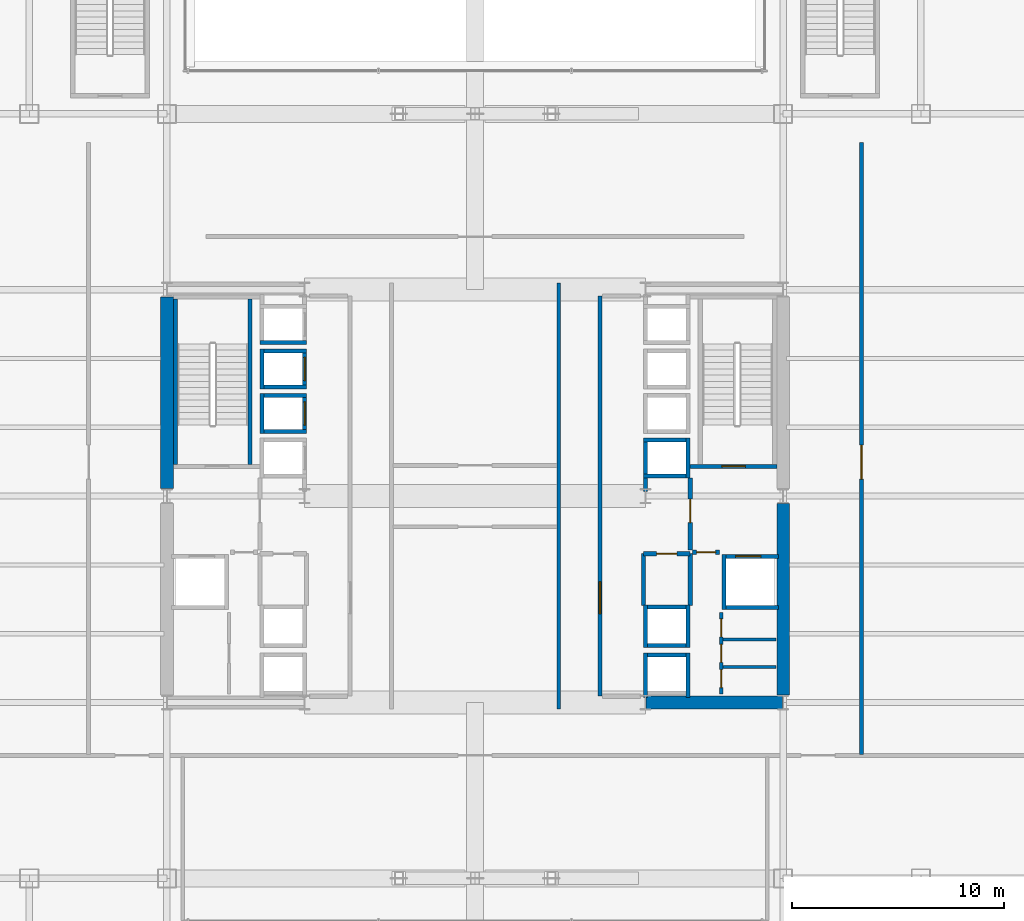
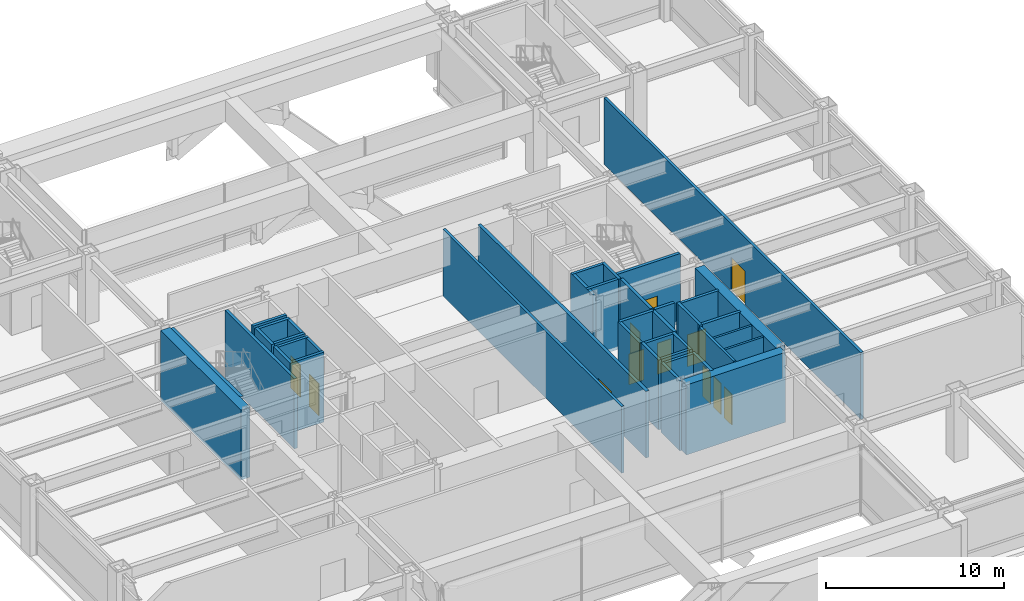
# One storey, part 34 of 37: 40 walls, 12 doors, 12 openings.
"""IFC4 building model written with IfcOpenShell, lengths in metres."""

import ifcopenshell
import ifcopenshell.guid

model = None  # the IFC model being written
_history = None  # IfcOwnerHistory: only IFC2X3 demands one
_inside = {}  # id of a spatial element -> (the spatial element, [elements in it])
_under = {}  # id of a project, library or spatial element -> (it, [spatial elements below it])
_declared = {}  # id of a project -> (the project, [libraries it declares])
_typed = {}  # id of a type object -> (the type object, [elements of that type])
_made_of = {}  # id of a material, layer set ... -> (it, [elements and type objects made of it])


def new_model(schema):
    """Start an empty IFC model of exactly this schema.

    Asked for "IFC4X3", IfcOpenShell would pick the latest addendum, in which some entities
    have other attributes; the version numbers below select the first issue.
    IFC2X3 requires an IfcOwnerHistory on every rooted entity: one is made here for all.
    """
    global model, _history
    if schema == "IFC4X3":
        model = ifcopenshell.file(schema_version=(4, 3, 0, 0))
    else:
        model = ifcopenshell.file(schema=schema)
    _inside.clear()
    _under.clear()
    _declared.clear()
    _typed.clear()
    _made_of.clear()
    _history = None
    if model.schema == "IFC2X3":
        org = make("IfcOrganization", Name="unknown")
        user = make(
            "IfcPersonAndOrganization",
            ThePerson=make("IfcPerson", FamilyName="unknown"),
            TheOrganization=org,
        )
        app = make(
            "IfcApplication",
            ApplicationDeveloper=org,
            Version="unknown",
            ApplicationFullName="unknown",
            ApplicationIdentifier="unknown",
        )
        _history = make(
            "IfcOwnerHistory",
            OwningUser=user,
            OwningApplication=app,
            ChangeAction="ADDED",
            CreationDate=0,
        )
    return model


def make(cls, **values):
    """One entity of the class cls with the attributes given. An attribute that is None is left unset."""
    return model.create_entity(
        cls, **{name: value for name, value in values.items() if value is not None}
    )


def rooted(cls, **values):
    """An entity with a GlobalId (a new one), such as an element, a storey or a relation."""
    return make(cls, GlobalId=ifcopenshell.guid.new(), OwnerHistory=_history, **values)


def si_unit(unit_type, name, prefix=None):
    """IfcSIUnit, for example si_unit("LENGTHUNIT", "METRE", prefix="MILLI")."""
    return make("IfcSIUnit", UnitType=unit_type, Prefix=prefix, Name=name)


def assignment(units):
    """IfcUnitAssignment: the units of a project."""
    return None if units is None else make("IfcUnitAssignment", Units=units)


def point(xyz):
    """IfcCartesianPoint."""
    return None if xyz is None else make("IfcCartesianPoint", Coordinates=xyz)


def direction(xyz):
    """IfcDirection."""
    return None if xyz is None else make("IfcDirection", DirectionRatios=xyz)


def frame(location, z_axis=None, x_axis=None):
    """IfcAxis2Placement3D, a coordinate frame: its origin and axes. An axis left out is left unset."""
    return make(
        "IfcAxis2Placement3D",
        Location=point(location),
        Axis=direction(z_axis),
        RefDirection=direction(x_axis),
    )


def frame_2d(location, x_axis=None):
    """IfcAxis2Placement2D, a coordinate frame in the plane: its origin and x axis."""
    return make(
        "IfcAxis2Placement2D", Location=point(location), RefDirection=direction(x_axis)
    )


def origin():
    """The frame at (0, 0, 0) with its axes left unset."""
    return frame((0.0, 0.0, 0.0))


def place(relative_to, where):
    """IfcLocalPlacement: puts the frame where relative to a parent placement (None: the world)."""
    return make(
        "IfcLocalPlacement", PlacementRelTo=relative_to, RelativePlacement=where
    )


def context(
    kind, dimensions, precision=None, world=None, true_north=None, identifier=None
):
    """IfcGeometricRepresentationContext, for example the 3D "Model" context."""
    return make(
        "IfcGeometricRepresentationContext",
        ContextIdentifier=identifier,
        ContextType=kind,
        CoordinateSpaceDimension=dimensions,
        Precision=precision,
        WorldCoordinateSystem=world,
        TrueNorth=true_north,
    )


def subcontext(parent, identifier, kind, view, scale=None):
    """IfcGeometricRepresentationSubContext, for example "Body" below "Model"."""
    return make(
        "IfcGeometricRepresentationSubContext",
        ContextIdentifier=identifier,
        ContextType=kind,
        ParentContext=parent,
        TargetScale=scale,
        TargetView=view,
    )


def project(units=None, contexts=None):
    """IfcProject with its units and contexts."""
    return rooted(
        "IfcProject",
        Name="project",
        RepresentationContexts=contexts,
        UnitsInContext=assignment(units),
    )


def spatial(cls, under=None, at=None, **own):
    """A site, building, storey or space (cls), placed at a placement, below another one or the project."""
    s = rooted(cls, ObjectPlacement=at, **own)
    if under is not None:
        _under.setdefault(under.id(), (under, []))[1].append(s)
    return s


def profile(cls, at=None, kind="AREA", **sizes):
    """A parametric profile (cls). Its sizes go by their IFC names, for example OverallWidth=200.0."""
    return make(cls, ProfileType=kind, Position=at, **sizes)


def rectangle(**sizes):
    """IfcRectangleProfileDef."""
    return profile("IfcRectangleProfileDef", **sizes)


def extrude(swept, where, along, depth):
    """IfcExtrudedAreaSolid: the profile swept, set in the frame where, extruded along a direction by depth."""
    return make(
        "IfcExtrudedAreaSolid",
        SweptArea=swept,
        Position=where,
        ExtrudedDirection=direction(along),
        Depth=depth,
    )


def shape(context_of_items, identifier, shape_type, items):
    """IfcShapeRepresentation: the items that make up one representation, for example the "Body"."""
    return make(
        "IfcShapeRepresentation",
        ContextOfItems=context_of_items,
        RepresentationIdentifier=identifier,
        RepresentationType=shape_type,
        Items=items,
    )


def material(Name=None, Category=None):
    """IfcMaterial."""
    return make("IfcMaterial", Name=Name, Category=Category)


def layer(
    of_material, thickness, ventilated=None, Name=None, Category=None, Priority=None
):
    """IfcMaterialLayer: one layer of a wall or slab, of a material (None: an air gap)."""
    return make(
        "IfcMaterialLayer",
        Material=of_material,
        LayerThickness=thickness,
        IsVentilated=ventilated,
        Name=Name,
        Category=Category,
        Priority=Priority,
    )


def layer_set(layers, Name=None):
    """IfcMaterialLayerSet."""
    return make("IfcMaterialLayerSet", MaterialLayers=layers, LayerSetName=Name)


def made_of(thing, what):
    """Note that an element or type object is made of a material, layer set ...; save() writes the relation."""
    if what is not None:
        _made_of.setdefault(what.id(), (what, []))[1].append(thing)
    return thing


def type_object(cls, material=None, **own):
    """A type object (cls), such as IfcWallType, which elements share."""
    return made_of(rooted(cls, **own), material)


def element(
    cls,
    number,
    at=None,
    inside=None,
    cuts=None,
    type_object=None,
    material=None,
    context=None,
    identifier="Body",
    shape_type=None,
    held_by="IfcProductDefinitionShape",
    body=None,
    shapes=None,
    **own,
):
    """One element of the class cls, such as IfcWall. Its Tag is "e" and its number.

    at: its placement. inside: the storey or other place that contains it. cuts: it is an
    opening in that element (IfcRelVoidsElement). A single representation is given by context,
    identifier, shape_type and body (its items); several are given by shapes. held_by: the class
    of the entity that holds the representations. save() writes the other relations.
    """
    e = rooted(cls, Tag="e%d" % number, ObjectPlacement=at, **own)
    if body is not None:
        shapes = [shape(context, identifier, shape_type, body)]
    if shapes is not None:
        e.Representation = make(held_by, Representations=shapes)
    if inside is not None:
        _inside.setdefault(inside.id(), (inside, []))[1].append(e)
    if cuts is not None:
        rooted(
            "IfcRelVoidsElement", RelatingBuildingElement=cuts, RelatedOpeningElement=e
        )
    if type_object is not None:
        _typed.setdefault(type_object.id(), (type_object, []))[1].append(e)
    return made_of(e, material)


def fill(opening, filler):
    """IfcRelFillsElement: the door or window that sits in an opening."""
    return rooted(
        "IfcRelFillsElement",
        RelatingOpeningElement=opening,
        RelatedBuildingElement=filler,
    )


def aggregate(whole, parts):
    """IfcRelAggregates: a whole, such as a stair, and the parts it consists of."""
    return rooted("IfcRelAggregates", RelatingObject=whole, RelatedObjects=parts)


def save(model, path):
    """Write the relations noted so far, then the file.

    IfcRelAggregates (storeys below a building ...), IfcRelContainedInSpatialStructure (elements
    in a storey), IfcRelDefinesByType, IfcRelAssociatesMaterial and IfcRelDeclares: one each for
    every whole, place, type object, material and project.
    """
    for whole, parts in _under.values():
        aggregate(whole, parts)
    for where, things in _inside.values():
        rooted(
            "IfcRelContainedInSpatialStructure",
            RelatedElements=things,
            RelatingStructure=where,
        )
    for kind, things in _typed.values():
        rooted("IfcRelDefinesByType", RelatedObjects=things, RelatingType=kind)
    for what, things in _made_of.values():
        rooted("IfcRelAssociatesMaterial", RelatedObjects=things, RelatingMaterial=what)
    for by, libraries in _declared.values():
        rooted("IfcRelDeclares", RelatingContext=by, RelatedDefinitions=libraries)
    model.write(path)


model = new_model("IFC4")

# Units and contexts
model_context = context("Model", 3, precision=1e-05, world=origin(), true_north=direction((0.0, 1.0)))
body_context = subcontext(model_context, "Body", "Model", "MODEL_VIEW")
ifc_project = project(units=[si_unit("LENGTHUNIT", "METRE"), si_unit("AREAUNIT", "SQUARE_METRE"), si_unit("VOLUMEUNIT", "CUBIC_METRE"), si_unit("PLANEANGLEUNIT", "RADIAN"), si_unit("MASSUNIT", "GRAM", prefix="KILO")], contexts=[model_context])

# Site, building, storey
site_placement = place(None, origin())
site = spatial("IfcSite", under=ifc_project, at=site_placement, CompositionType="ELEMENT")
building_placement = place(site_placement, origin())
building = spatial("IfcBuilding", under=site, at=building_placement, Name="Brelmoor Portico Tower", CompositionType="ELEMENT")
storey_placement = place(building_placement, frame((0.0, 0.0, 14.39990234375)))
storey = spatial("IfcBuildingStorey", under=building, at=storey_placement, Name="L03", CompositionType="ELEMENT", Elevation=14.39990234375)

# Walls
ifc_material_1 = material(Name="Concrete C60", Category="concrete")
ifc_layer_1 = layer(ifc_material_1, 0.60009765625)
ifc_layer_set_1 = layer_set([ifc_layer_1], Name="Concrete C60")
wall_type_1 = type_object("IfcWallType", Name="WL-CORE-600", PredefinedType="SHEAR", material=ifc_layer_set_1)
wall_1_placement = place(storey_placement, frame((-14.550048828125, 0.35009765625, -0.219970703125), z_axis=(0.0, 0.0, 1.0), x_axis=(0.0, 1.0, 0.0)))
element("IfcWall", 1, at=wall_1_placement, inside=storey, type_object=wall_type_1, Name="L03 WC Outer North Shear Wall", PredefinedType="SHEAR", context=body_context, shape_type="SweptSolid", body=[
    extrude(rectangle(XDim=9.0498046875, YDim=0.60009765625, at=frame_2d((4.52490234375, 0.0))), origin(), (0.0, 0.0, 1.0), 4.800048828125),
])
wall_2_placement = place(storey_placement, frame((8.070068359375, -9.75, -0.219970703125), z_axis=(0.0, 0.0, 1.0), x_axis=(1.0, 0.0, 0.0)))
element("IfcWall", 2, at=wall_2_placement, inside=storey, type_object=wall_type_1, Name="L03 EC South Shear Wall", PredefinedType="SHEAR", context=body_context, shape_type="SweptSolid", body=[
    extrude(rectangle(XDim=6.4599609375, YDim=0.60009765625, at=frame_2d((3.22998046875, 0.0))), origin(), (0.0, 0.0, 1.0), 4.800048828125),
])
wall_3_placement = place(storey_placement, frame((14.550048828125, -9.39990234375, -0.219970703125), z_axis=(0.0, 0.0, 1.0), x_axis=(0.0, 1.0, 0.0)))
element("IfcWall", 3, at=wall_3_placement, inside=storey, type_object=wall_type_1, Name="L03 EC Outer South Shear Wall", PredefinedType="SHEAR", context=body_context, shape_type="SweptSolid", body=[
    extrude(rectangle(XDim=9.0498046875, YDim=0.60009765625, at=frame_2d((4.52490234375, 0.0))), origin(), (0.0, 0.0, 1.0), 4.800048828125),
])
ifc_material_2 = material(Name="Insulated Stud Suite Partition", Category="gypsum")
ifc_layer_2 = layer(ifc_material_2, 0.139892578125)
ifc_layer_set_2 = layer_set([ifc_layer_2], Name="Insulated Stud Suite Partition")
wall_type_2 = type_object("IfcWallType", Name="WL-PART-140", PredefinedType="PARTITIONING", material=ifc_layer_set_2)
for number, where, z_axis, x_axis, name in (
    (4, (11.699951171875, -8.066650390625, 0.0), (0.0, 0.0, 1.0), (1.0, 0.0, 0.0), "L03 E Core WC Divider 1"),
    (5, (11.699951171875, -6.783203125, 0.0), (0.0, 0.0, 1.0), (1.0, 0.0, 0.0), "L03 E Core WC Divider 2"),
):
    element("IfcWall", number, at=place(storey_placement, frame(where, z_axis=z_axis, x_axis=x_axis)), inside=storey, type_object=wall_type_2, Name=name, PredefinedType="PARTITIONING", context=body_context, shape_type="SweptSolid", body=[
        extrude(rectangle(XDim=2.5, YDim=0.139892578125, at=frame_2d((1.25, 0.0))), origin(), (0.0, 0.0, 1.0), 4.580078125),
    ])

# Wall, openings, doors
ifc_material_3 = material(Name="Twin-Frame Acoustic Partition", Category="gypsum")
ifc_layer_3 = layer(ifc_material_3, 0.159912109375)
ifc_layer_set_3 = layer_set([ifc_layer_3], Name="Twin-Frame Acoustic Partition")
wall_type_3 = type_object("IfcWallType", Name="WL-PART-160", PredefinedType="PARTITIONING", material=ifc_layer_set_3)
wall_4_placement = place(storey_placement, frame((11.6201171875, -9.35009765625, 0.0), z_axis=(0.0, 0.0, 1.0), x_axis=(0.0, 1.0, 0.0)))
wall_4 = element("IfcWall", 6, at=wall_4_placement, inside=storey, type_object=wall_type_3, Name="L03 E Core Service Front Wall", PredefinedType="PARTITIONING", context=body_context, shape_type="SweptSolid", body=[
    extrude(rectangle(XDim=3.85009765625, YDim=0.159912109375, at=frame_2d((1.925048828125, 0.0))), origin(), (0.0, 0.0, 1.0), 4.580078125),
])
opening_1_placement = place(wall_4_placement, frame((0.300048828125, 0.0, 0.0)))
opening_1 = element("IfcOpeningElement", 7, at=opening_1_placement, cuts=wall_4, Name="Opening D-WC1", PredefinedType="OPENING", context=body_context, shape_type="SweptSolid", body=[
    extrude(rectangle(XDim=0.85009765625, YDim=2.1201171875, at=frame_2d((0.425048828125, 1.06005859375))), frame((0.0, 0.08984375, 0.0), z_axis=(0.0, -1.0, 0.0), x_axis=(1.0, 0.0, 0.0)), (0.0, 0.0, 1.0), 0.179931640625),
])
opening_2_placement = place(wall_4_placement, frame((1.5, 0.0, 0.0)))
opening_2 = element("IfcOpeningElement", 8, at=opening_2_placement, cuts=wall_4, Name="Opening D-WC1", PredefinedType="OPENING", context=body_context, shape_type="SweptSolid", body=[
    extrude(rectangle(XDim=0.85009765625, YDim=2.1201171875, at=frame_2d((0.425048828125, 1.06005859375))), frame((0.0, 0.08984375, 0.0), z_axis=(0.0, -1.0, 0.0), x_axis=(1.0, 0.0, 0.0)), (0.0, 0.0, 1.0), 0.179931640625),
])
opening_3_placement = place(wall_4_placement, frame((2.699951171875, 0.0, 0.0)))
opening_3 = element("IfcOpeningElement", 9, at=opening_3_placement, cuts=wall_4, Name="Opening D-WC1", PredefinedType="OPENING", context=body_context, shape_type="SweptSolid", body=[
    extrude(rectangle(XDim=0.85009765625, YDim=2.1201171875, at=frame_2d((0.425048828125, 1.06005859375))), frame((0.0, 0.08984375, 0.0), z_axis=(0.0, -1.0, 0.0), x_axis=(1.0, 0.0, 0.0)), (0.0, 0.0, 1.0), 0.179931640625),
])
ifc_material_4 = material(Name="Moisture-Resistant Laminate WC Door", Category="timber")
door_type_1 = type_object("IfcDoorType", Name="DR-WC-850", OperationType="NOTDEFINED", PredefinedType="DOOR", material=ifc_material_4)
door_1_placement = place(opening_1_placement, origin())
door_1 = element("IfcDoor", 10, at=door_1_placement, inside=storey, type_object=door_type_1, Name="D-0174 L03 E Male WC Door", OperationType="SINGLE_SWING_RIGHT", OverallHeight=2.1201171875, OverallWidth=0.85009765625, PredefinedType="DOOR", context=body_context, shape_type="SweptSolid", body=[
    extrude(rectangle(XDim=0.85009765625, YDim=2.1201171875, at=frame_2d((0.425048828125, 1.06005859375))), frame((0.0, 0.02490234375, 0.0), z_axis=(0.0, -1.0, 0.0), x_axis=(1.0, 0.0, 0.0)), (0.0, 0.0, 1.0), 0.050048828125),
])
fill(opening_1, door_1)
door_2_placement = place(opening_2_placement, origin())
door_2 = element("IfcDoor", 11, at=door_2_placement, inside=storey, type_object=door_type_1, Name="D-0175 L03 E Female WC Door", OperationType="SINGLE_SWING_LEFT", OverallHeight=2.1201171875, OverallWidth=0.85009765625, PredefinedType="DOOR", context=body_context, shape_type="SweptSolid", body=[
    extrude(rectangle(XDim=0.85009765625, YDim=2.1201171875, at=frame_2d((0.425048828125, 1.06005859375))), frame((0.0, 0.02490234375, 0.0), z_axis=(0.0, -1.0, 0.0), x_axis=(1.0, 0.0, 0.0)), (0.0, 0.0, 1.0), 0.050048828125),
])
fill(opening_2, door_2)
door_3_placement = place(opening_3_placement, origin())
door_3 = element("IfcDoor", 12, at=door_3_placement, inside=storey, type_object=door_type_1, Name="D-0176 L03 E Janitor Store Door", OperationType="SINGLE_SWING_RIGHT", OverallHeight=2.1201171875, OverallWidth=0.85009765625, PredefinedType="DOOR", context=body_context, shape_type="SweptSolid", body=[
    extrude(rectangle(XDim=0.85009765625, YDim=2.1201171875, at=frame_2d((0.425048828125, 1.06005859375))), frame((0.0, 0.02490234375, 0.0), z_axis=(0.0, -1.0, 0.0), x_axis=(1.0, 0.0, 0.0)), (0.0, 0.0, 1.0), 0.050048828125),
])
fill(opening_3, door_3)

# Wall
ifc_material_5 = material(Name="Acoustic Corridor Fire Partition", Category="gypsum")
ifc_layer_4 = layer(ifc_material_5, 0.179931640625)
ifc_layer_set_4 = layer_set([ifc_layer_4], Name="Acoustic Corridor Fire Partition")
wall_type_4 = type_object("IfcWallType", Name="WL-PART-180", PredefinedType="PARTITIONING", material=ifc_layer_set_4)
wall_5_placement = place(storey_placement, frame((3.949951171875, -10.050048828125, 0.0), z_axis=(0.0, 0.0, 1.0), x_axis=(0.0, 1.0, 0.0)))
element("IfcWall", 13, at=wall_5_placement, inside=storey, type_object=wall_type_4, Name="L03 Central Hall East Wall", PredefinedType="PARTITIONING", context=body_context, shape_type="SweptSolid", body=[
    extrude(rectangle(XDim=20.10009765625, YDim=0.179931640625, at=frame_2d((10.050048828125, 0.0))), origin(), (0.0, 0.0, 1.0), 4.580078125),
])

# Wall, opening, door
wall_6_placement = place(storey_placement, frame((18.25, -12.199951171875, 0.0), z_axis=(0.0, 0.0, 1.0), x_axis=(0.0, 1.0, 0.0)))
wall_6 = element("IfcWall", 14, at=wall_6_placement, inside=storey, type_object=wall_type_4, Name="L03 E Bridge Wing Wall", PredefinedType="PARTITIONING", context=body_context, shape_type="SweptSolid", body=[
    extrude(rectangle(XDim=28.89990234375, YDim=0.179931640625, at=frame_2d((14.449951171875, 0.0))), origin(), (0.0, 0.0, 1.0), 4.580078125),
])
opening_4_placement = place(wall_6_placement, frame((13.0, 0.0, 0.0)))
opening_4 = element("IfcOpeningElement", 15, at=opening_4_placement, cuts=wall_6, Name="Opening D-PB1", PredefinedType="OPENING", context=body_context, shape_type="SweptSolid", body=[
    extrude(rectangle(XDim=1.60009765625, YDim=2.300048828125, at=frame_2d((0.800048828125, 1.14990234375))), frame((0.0, 0.099853515625, 0.0), z_axis=(0.0, -1.0, 0.0), x_axis=(1.0, 0.0, 0.0)), (0.0, 0.0, 1.0), 0.199951171875),
])
ifc_material_6 = material(Name="Double-Leaf Anodised Aluminium Hall Door", Category="aluminium")
door_type_2 = type_object("IfcDoorType", Name="DR-PUBLIC-1600", OperationType="NOTDEFINED", PredefinedType="DOOR", material=ifc_material_6)
door_4_placement = place(opening_4_placement, origin())
door_4 = element("IfcDoor", 16, at=door_4_placement, inside=storey, type_object=door_type_2, Name="D-0172 L03 E Engineering Studio Door", OperationType="DOUBLE_DOOR_SINGLE_SWING", OverallHeight=2.300048828125, OverallWidth=1.60009765625, PredefinedType="DOOR", context=body_context, shape_type="SweptSolid", body=[
    extrude(rectangle(XDim=1.60009765625, YDim=2.300048828125, at=frame_2d((0.800048828125, 1.14990234375))), frame((0.0, 0.02490234375, 0.0), z_axis=(0.0, -1.0, 0.0), x_axis=(1.0, 0.0, 0.0)), (0.0, 0.0, 1.0), 0.050048828125),
])
fill(opening_4, door_4)

ifc_material_7 = material(Name="Double-Stud Gypsum Fire Partition", Category="gypsum")
ifc_layer_5 = layer(ifc_material_7, 0.199951171875)
ifc_layer_set_5 = layer_set([ifc_layer_5], Name="Double-Stud Gypsum Fire Partition")
wall_type_5 = type_object("IfcWallType", Name="WL-PART-200", PredefinedType="PARTITIONING", material=ifc_layer_set_5)
wall_7_placement = place(storey_placement, frame((5.89990234375, -9.449951171875, 0.0), z_axis=(0.0, 0.0, 1.0), x_axis=(0.0, 1.0, 0.0)))
wall_7 = element("IfcWall", 17, at=wall_7_placement, inside=storey, type_object=wall_type_5, Name="L03 E Core Lobby Compartment Wall", PredefinedType="PARTITIONING", context=body_context, shape_type="SweptSolid", body=[
    extrude(rectangle(XDim=18.89990234375, YDim=0.199951171875, at=frame_2d((9.449951171875, 0.0))), origin(), (0.0, 0.0, 1.0), 4.580078125),
])
opening_5_placement = place(wall_7_placement, frame((3.89990234375, 0.0, 0.0)))
opening_5 = element("IfcOpeningElement", 18, at=opening_5_placement, cuts=wall_7, Name="Opening D-LB1", PredefinedType="OPENING", context=body_context, shape_type="SweptSolid", body=[
    extrude(rectangle(XDim=1.5, YDim=2.199951171875, at=frame_2d((0.75, 1.10009765625))), frame((0.0, 0.10986328125, 0.0), z_axis=(0.0, -1.0, 0.0), x_axis=(1.0, 0.0, 0.0)), (0.0, 0.0, 1.0), 0.219970703125),
])
ifc_material_8 = material(Name="Double-Leaf Glazed Steel Fire Door", Category="steel")
door_type_3 = type_object("IfcDoorType", Name="DR-LOBBY-1500", OperationType="NOTDEFINED", PredefinedType="DOOR", material=ifc_material_8)
door_5_placement = place(opening_5_placement, origin())
door_5 = element("IfcDoor", 19, at=door_5_placement, inside=storey, type_object=door_type_3, Name="D-0184 L03 E Lift Lobby Main Door", OperationType="DOUBLE_DOOR_SINGLE_SWING", OverallHeight=2.199951171875, OverallWidth=1.5, PredefinedType="DOOR", context=body_context, shape_type="SweptSolid", body=[
    extrude(rectangle(XDim=1.5, YDim=2.199951171875, at=frame_2d((0.75, 1.10009765625))), frame((0.0, 0.02490234375, 0.0), z_axis=(0.0, -1.0, 0.0), x_axis=(1.0, 0.0, 0.0)), (0.0, 0.0, 1.0), 0.050048828125),
])
fill(opening_5, door_5)

wall_8_placement = place(storey_placement, frame((10.159912109375, -2.550048828125, 0.0), z_axis=(0.0, 0.0, 1.0), x_axis=(0.0, 1.0, 0.0)))
wall_8 = element("IfcWall", 20, at=wall_8_placement, inside=storey, type_object=wall_type_5, Name="L03 E Firefighting Lobby Wall", PredefinedType="PARTITIONING", context=body_context, shape_type="SweptSolid", body=[
    extrude(rectangle(XDim=3.400146484375, YDim=0.199951171875, at=frame_2d((1.7001953125, 0.0))), origin(), (0.0, 0.0, 1.0), 4.580078125),
])
opening_6_placement = place(wall_8_placement, frame((1.300048828125, 0.0, 0.0)))
opening_6 = element("IfcOpeningElement", 21, at=opening_6_placement, cuts=wall_8, Name="Opening D-FR1", PredefinedType="OPENING", context=body_context, shape_type="SweptSolid", body=[
    extrude(rectangle(XDim=1.10009765625, YDim=2.14990234375, at=frame_2d((0.550048828125, 1.074951171875))), frame((0.0, 0.10986328125, 0.0), z_axis=(0.0, -1.0, 0.0), x_axis=(1.0, 0.0, 0.0)), (0.0, 0.0, 1.0), 0.219970703125),
])
ifc_material_9 = material(Name="Painted Galvanised Steel Fire Door", Category="steel")
door_type_4 = type_object("IfcDoorType", Name="DR-FIRE-1100", OperationType="NOTDEFINED", PredefinedType="DOOR", material=ifc_material_9)
door_6_placement = place(opening_6_placement, origin())
door_6 = element("IfcDoor", 22, at=door_6_placement, inside=storey, type_object=door_type_4, Name="D-0182 L03 E Firefighting Lobby Door", OperationType="SINGLE_SWING_LEFT", OverallHeight=2.14990234375, OverallWidth=1.10009765625, PredefinedType="DOOR", context=body_context, shape_type="SweptSolid", body=[
    extrude(rectangle(XDim=1.10009765625, YDim=2.14990234375, at=frame_2d((0.550048828125, 1.074951171875))), frame((0.0, 0.02490234375, 0.0), z_axis=(0.0, -1.0, 0.0), x_axis=(1.0, 0.0, 0.0)), (0.0, 0.0, 1.0), 0.050048828125),
])
fill(opening_6, door_6)

wall_9_placement = place(storey_placement, frame((10.280029296875, -2.64990234375, 0.0), z_axis=(0.0, 0.0, 1.0), x_axis=(1.0, 0.0, 0.0)))
wall_9 = element("IfcWall", 23, at=wall_9_placement, inside=storey, type_object=wall_type_5, Name="L03 E Firefighting Lobby South Wall", PredefinedType="PARTITIONING", context=body_context, shape_type="SweptSolid", body=[
    extrude(rectangle(XDim=1.27001953125, YDim=0.199951171875, at=frame_2d((0.635009765625, 0.0))), origin(), (0.0, 0.0, 1.0), 4.580078125),
])
opening_7_placement = place(wall_9_placement, frame((0.18505859375, 0.0, 0.0)))
opening_7 = element("IfcOpeningElement", 24, at=opening_7_placement, cuts=wall_9, Name="Opening D-IN1", PredefinedType="OPENING", context=body_context, shape_type="SweptSolid", body=[
    extrude(rectangle(XDim=0.89990234375, YDim=2.14990234375, at=frame_2d((0.449951171875, 1.074951171875))), frame((0.0, 0.10986328125, 0.0), z_axis=(0.0, -1.0, 0.0), x_axis=(1.0, 0.0, 0.0)), (0.0, 0.0, 1.0), 0.219970703125),
])
ifc_material_10 = material(Name="Lacquered Timber Suite Door", Category="wood")
door_type_5 = type_object("IfcDoorType", Name="DR-INT-900", OperationType="NOTDEFINED", PredefinedType="DOOR", material=ifc_material_10)
door_7_placement = place(opening_7_placement, origin())
door_7 = element("IfcDoor", 25, at=door_7_placement, inside=storey, type_object=door_type_5, Name="D-0177 L03 E Core Service Vestibule Door", OperationType="SINGLE_SWING_RIGHT", OverallHeight=2.14990234375, OverallWidth=0.89990234375, PredefinedType="DOOR", context=body_context, shape_type="SweptSolid", body=[
    extrude(rectangle(XDim=0.89990234375, YDim=2.14990234375, at=frame_2d((0.449951171875, 1.074951171875))), frame((0.0, 0.02490234375, 0.0), z_axis=(0.0, -1.0, 0.0), x_axis=(1.0, 0.0, 0.0)), (0.0, 0.0, 1.0), 0.050048828125),
])
fill(opening_7, door_7)

wall_10_placement = place(storey_placement, frame((7.9599609375, -2.719970703125, 0.0), z_axis=(0.0, 0.0, 1.0), x_axis=(1.0, 0.0, 0.0)))
wall_10 = element("IfcWall", 26, at=wall_10_placement, inside=storey, type_object=wall_type_5, Name="L03 E Electrical Switchgear Closet Wall", PredefinedType="PARTITIONING", context=body_context, shape_type="SweptSolid", body=[
    extrude(rectangle(XDim=2.199951171875, YDim=0.199951171875, at=frame_2d((1.10009765625, 0.0))), origin(), (0.0, 0.0, 1.0), 4.580078125),
])
opening_8_placement = place(wall_10_placement, frame((0.6201171875, 0.0, 0.0)))
opening_8 = element("IfcOpeningElement", 27, at=opening_8_placement, cuts=wall_10, Name="Opening D-FR4", PredefinedType="OPENING", context=body_context, shape_type="SweptSolid", body=[
    extrude(rectangle(XDim=0.949951171875, YDim=2.10009765625, at=frame_2d((0.47509765625, 1.050048828125))), frame((0.0, 0.10986328125, 0.0), z_axis=(0.0, -1.0, 0.0), x_axis=(1.0, 0.0, 0.0)), (0.0, 0.0, 1.0), 0.219970703125),
])
ifc_material_11 = material(Name="Painted Galvanised Steel Riser Door", Category="steel")
door_type_6 = type_object("IfcDoorType", Name="DR-FIRE-950", OperationType="NOTDEFINED", PredefinedType="DOOR", material=ifc_material_11)
door_8_placement = place(opening_8_placement, origin())
door_8 = element("IfcDoor", 28, at=door_8_placement, inside=storey, type_object=door_type_6, Name="D-0180 L03 E Electrical Switchgear Closet Door", OperationType="SINGLE_SWING_LEFT", OverallHeight=2.10009765625, OverallWidth=0.949951171875, PredefinedType="DOOR", context=body_context, shape_type="SweptSolid", body=[
    extrude(rectangle(XDim=0.949951171875, YDim=2.10009765625, at=frame_2d((0.47509765625, 1.050048828125))), frame((0.0, 0.02490234375, 0.0), z_axis=(0.0, -1.0, 0.0), x_axis=(1.0, 0.0, 0.0)), (0.0, 0.0, 1.0), 0.050048828125),
])
fill(opening_8, door_8)

# Walls
for number, where, z_axis, x_axis, name in (
    (29, (7.9599609375, -5.159912109375, 0.0), (0.0, 0.0, 1.0), (0.0, 1.0, 0.0), "L03 E Electrical Switchgear Closet Inner Wall"),
    (30, (10.159912109375, -5.159912109375, 0.0), (0.0, 0.0, 1.0), (0.0, 1.0, 0.0), "L03 E Electrical Switchgear Closet Outer Wall"),
):
    element("IfcWall", number, at=place(storey_placement, frame(where, z_axis=z_axis, x_axis=x_axis)), inside=storey, type_object=wall_type_5, Name=name, PredefinedType="PARTITIONING", context=body_context, shape_type="SweptSolid", body=[
        extrude(rectangle(XDim=2.43994140625, YDim=0.199951171875, at=frame_2d((1.219970703125, 0.0))), origin(), (0.0, 0.0, 1.0), 4.580078125),
    ])

# Wall, opening, door
ifc_material_12 = material(Name="Precast Concrete C40", Category="concrete")
ifc_layer_6 = layer(ifc_material_12, 0.18994140625)
ifc_layer_set_6 = layer_set([ifc_layer_6], Name="Precast Concrete C40")
wall_type_6 = type_object("IfcWallType", Name="WL-SHAFT-180", PredefinedType="SOLIDWALL", material=ifc_layer_set_6)
wall_11_placement = place(storey_placement, frame((-8.044921875, 2.949951171875, -0.219970703125), z_axis=(0.0, 0.0, 1.0), x_axis=(0.0, 1.0, 0.0)))
wall_11 = element("IfcWall", 31, at=wall_11_placement, inside=storey, type_object=wall_type_6, Name="L03 Lift PL2 Hoistway Front Wall", PredefinedType="SOLIDWALL", context=body_context, shape_type="SweptSolid", body=[
    extrude(rectangle(XDim=1.900146484375, YDim=0.18994140625, at=frame_2d((0.9501953125, 0.0))), origin(), (0.0, 0.0, 1.0), 4.800048828125),
])
opening_9_placement = place(wall_11_placement, frame((0.39990234375, 0.0, 0.219970703125)))
opening_9 = element("IfcOpeningElement", 32, at=opening_9_placement, cuts=wall_11, Name="Opening LD-01", PredefinedType="OPENING", context=body_context, shape_type="SweptSolid", body=[
    extrude(rectangle(XDim=1.10009765625, YDim=2.199951171875, at=frame_2d((0.550048828125, 1.10009765625))), frame((0.0, 0.10498046875, 0.0), z_axis=(0.0, -1.0, 0.0), x_axis=(1.0, 0.0, 0.0)), (0.0, 0.0, 1.0), 0.2099609375),
])
ifc_material_13 = material(Name="Brushed Stainless Steel Sliding Lift Door", Category="steel")
door_type_7 = type_object("IfcDoorType", Name="DR-LIFT-1100", OperationType="NOTDEFINED", PredefinedType="DOOR", material=ifc_material_13)
door_9_placement = place(opening_9_placement, origin())
door_9 = element("IfcDoor", 33, at=door_9_placement, inside=storey, type_object=door_type_7, Name="D-0193 L03 Lift PL2 Sliding Landing Door", OperationType="SLIDING_TO_LEFT", OverallHeight=2.199951171875, OverallWidth=1.10009765625, PredefinedType="DOOR", context=body_context, shape_type="SweptSolid", body=[
    extrude(rectangle(XDim=1.10009765625, YDim=2.199951171875, at=frame_2d((0.550048828125, 1.10009765625))), frame((0.0, 0.02490234375, 0.0), z_axis=(0.0, -1.0, 0.0), x_axis=(1.0, 0.0, 0.0)), (0.0, 0.0, 1.0), 0.050048828125),
])
fill(opening_9, door_9)

# Walls
wall_12_placement = place(storey_placement, frame((-10.054931640625, 2.949951171875, -0.219970703125), z_axis=(0.0, 0.0, 1.0), x_axis=(0.0, 1.0, 0.0)))
element("IfcWall", 34, at=wall_12_placement, inside=storey, type_object=wall_type_6, Name="L03 Lift PL2 Hoistway Back Wall", PredefinedType="SOLIDWALL", context=body_context, shape_type="SweptSolid", body=[
    extrude(rectangle(XDim=1.900146484375, YDim=0.18994140625, at=frame_2d((0.9501953125, 0.0))), origin(), (0.0, 0.0, 1.0), 4.800048828125),
])
for number, where, z_axis, x_axis, name in (
    (35, (-10.14990234375, 4.7548828125, -0.219970703125), (0.0, 0.0, 1.0), (1.0, 0.0, 0.0), "L03 Lift PL2 Hoistway North Wall"),
    (36, (-10.14990234375, 3.044921875, -0.219970703125), (0.0, 0.0, 1.0), (1.0, 0.0, 0.0), "L03 Lift PL2 Hoistway South Wall"),
):
    element("IfcWall", number, at=place(storey_placement, frame(where, z_axis=z_axis, x_axis=x_axis)), inside=storey, type_object=wall_type_6, Name=name, PredefinedType="SOLIDWALL", context=body_context, shape_type="SweptSolid", body=[
        extrude(rectangle(XDim=2.199951171875, YDim=0.18994140625, at=frame_2d((1.10009765625, 0.0))), origin(), (0.0, 0.0, 1.0), 4.800048828125),
    ])

# Wall, opening, door
wall_13_placement = place(storey_placement, frame((-8.044921875, 5.050048828125, -0.219970703125), z_axis=(0.0, 0.0, 1.0), x_axis=(0.0, 1.0, 0.0)))
wall_13 = element("IfcWall", 37, at=wall_13_placement, inside=storey, type_object=wall_type_6, Name="L03 Lift PL3 Hoistway Front Wall", PredefinedType="SOLIDWALL", context=body_context, shape_type="SweptSolid", body=[
    extrude(rectangle(XDim=1.89990234375, YDim=0.18994140625, at=frame_2d((0.949951171875, 0.0))), origin(), (0.0, 0.0, 1.0), 4.800048828125),
])
opening_10_placement = place(wall_13_placement, frame((0.39990234375, 0.0, 0.219970703125)))
opening_10 = element("IfcOpeningElement", 38, at=opening_10_placement, cuts=wall_13, Name="Opening LD-01", PredefinedType="OPENING", context=body_context, shape_type="SweptSolid", body=[
    extrude(rectangle(XDim=1.10009765625, YDim=2.199951171875, at=frame_2d((0.550048828125, 1.10009765625))), frame((0.0, 0.10498046875, 0.0), z_axis=(0.0, -1.0, 0.0), x_axis=(1.0, 0.0, 0.0)), (0.0, 0.0, 1.0), 0.2099609375),
])
door_10_placement = place(opening_10_placement, origin())
door_10 = element("IfcDoor", 39, at=door_10_placement, inside=storey, type_object=door_type_7, Name="D-0194 L03 Lift PL3 Sliding Landing Door", OperationType="SLIDING_TO_LEFT", OverallHeight=2.199951171875, OverallWidth=1.10009765625, PredefinedType="DOOR", context=body_context, shape_type="SweptSolid", body=[
    extrude(rectangle(XDim=1.10009765625, YDim=2.199951171875, at=frame_2d((0.550048828125, 1.10009765625))), frame((0.0, 0.02490234375, 0.0), z_axis=(0.0, -1.0, 0.0), x_axis=(1.0, 0.0, 0.0)), (0.0, 0.0, 1.0), 0.050048828125),
])
fill(opening_10, door_10)

# Walls
wall_14_placement = place(storey_placement, frame((-10.054931640625, 5.050048828125, -0.219970703125), z_axis=(0.0, 0.0, 1.0), x_axis=(0.0, 1.0, 0.0)))
element("IfcWall", 40, at=wall_14_placement, inside=storey, type_object=wall_type_6, Name="L03 Lift PL3 Hoistway Back Wall", PredefinedType="SOLIDWALL", context=body_context, shape_type="SweptSolid", body=[
    extrude(rectangle(XDim=1.89990234375, YDim=0.18994140625, at=frame_2d((0.949951171875, 0.0))), origin(), (0.0, 0.0, 1.0), 4.800048828125),
])
for number, where, z_axis, x_axis, name in (
    (41, (-10.14990234375, 6.85498046875, -0.219970703125), (0.0, 0.0, 1.0), (1.0, 0.0, 0.0), "L03 Lift PL3 Hoistway North Wall"),
    (42, (-10.14990234375, 5.14501953125, -0.219970703125), (0.0, 0.0, 1.0), (1.0, 0.0, 0.0), "L03 Lift PL3 Hoistway South Wall"),
    (43, (-10.14990234375, 7.2451171875, -0.219970703125), (0.0, 0.0, 1.0), (1.0, 0.0, 0.0), "L03 Lift PL4 Hoistway South Wall"),
):
    element("IfcWall", number, at=place(storey_placement, frame(where, z_axis=z_axis, x_axis=x_axis)), inside=storey, type_object=wall_type_6, Name=name, PredefinedType="SOLIDWALL", context=body_context, shape_type="SweptSolid", body=[
        extrude(rectangle(XDim=2.199951171875, YDim=0.18994140625, at=frame_2d((1.10009765625, 0.0))), origin(), (0.0, 0.0, 1.0), 4.800048828125),
    ])
wall_15_placement = place(storey_placement, frame((8.044921875, 0.2099609375, -0.219970703125), z_axis=(0.0, 0.0, 1.0), x_axis=(0.0, 1.0, 0.0)))
element("IfcWall", 44, at=wall_15_placement, inside=storey, type_object=wall_type_6, Name="L03 Lift PM1 Hoistway Front Wall", PredefinedType="SOLIDWALL", context=body_context, shape_type="SweptSolid", body=[
    extrude(rectangle(XDim=2.5400390625, YDim=0.18994140625, at=frame_2d((1.27001953125, 0.0))), origin(), (0.0, 0.0, 1.0), 4.800048828125),
])
wall_16_placement = place(storey_placement, frame((10.054931640625, 0.85009765625, -0.219970703125), z_axis=(0.0, 0.0, 1.0), x_axis=(0.0, 1.0, 0.0)))
element("IfcWall", 45, at=wall_16_placement, inside=storey, type_object=wall_type_6, Name="L03 Lift PM1 Hoistway Back Wall", PredefinedType="SOLIDWALL", context=body_context, shape_type="SweptSolid", body=[
    extrude(rectangle(XDim=1.89990234375, YDim=0.18994140625, at=frame_2d((0.949951171875, 0.0))), origin(), (0.0, 0.0, 1.0), 4.800048828125),
])
for number, where, z_axis, x_axis, name in (
    (46, (7.949951171875, 2.655029296875, -0.219970703125), (0.0, 0.0, 1.0), (1.0, 0.0, 0.0), "L03 Lift PM1 Hoistway North Wall"),
    (47, (7.949951171875, 0.945068359375, -0.219970703125), (0.0, 0.0, 1.0), (1.0, 0.0, 0.0), "L03 Lift PM1 Hoistway South Wall"),
):
    element("IfcWall", number, at=place(storey_placement, frame(where, z_axis=z_axis, x_axis=x_axis)), inside=storey, type_object=wall_type_6, Name=name, PredefinedType="SOLIDWALL", context=body_context, shape_type="SweptSolid", body=[
        extrude(rectangle(XDim=2.199951171875, YDim=0.18994140625, at=frame_2d((1.10009765625, 0.0))), origin(), (0.0, 0.0, 1.0), 4.800048828125),
    ])
for number, where, z_axis, x_axis, name in (
    (48, (8.044921875, -9.52001953125, -0.219970703125), (0.0, 0.0, 1.0), (0.0, 1.0, 0.0), "L03 Lift PH3 Hoistway Front Wall"),
    (49, (10.054931640625, -9.52001953125, -0.219970703125), (0.0, 0.0, 1.0), (0.0, 1.0, 0.0), "L03 Lift PH3 Hoistway Back Wall"),
):
    element("IfcWall", number, at=place(storey_placement, frame(where, z_axis=z_axis, x_axis=x_axis)), inside=storey, type_object=wall_type_6, Name=name, PredefinedType="SOLIDWALL", context=body_context, shape_type="SweptSolid", body=[
        extrude(rectangle(XDim=2.1201171875, YDim=0.18994140625, at=frame_2d((1.06005859375, 0.0))), origin(), (0.0, 0.0, 1.0), 4.800048828125),
    ])
wall_17_placement = place(storey_placement, frame((7.949951171875, -7.4951171875, -0.219970703125), z_axis=(0.0, 0.0, 1.0), x_axis=(1.0, 0.0, 0.0)))
element("IfcWall", 50, at=wall_17_placement, inside=storey, type_object=wall_type_6, Name="L03 Lift PH3 Hoistway North Wall", PredefinedType="SOLIDWALL", context=body_context, shape_type="SweptSolid", body=[
    extrude(rectangle(XDim=2.199951171875, YDim=0.18994140625, at=frame_2d((1.10009765625, 0.0))), origin(), (0.0, 0.0, 1.0), 4.800048828125),
])
for number, where, z_axis, x_axis, name in (
    (51, (8.044921875, -7.14990234375, -0.219970703125), (0.0, 0.0, 1.0), (0.0, 1.0, 0.0), "L03 Lift PH4 Hoistway Front Wall"),
    (52, (10.054931640625, -7.14990234375, -0.219970703125), (0.0, 0.0, 1.0), (0.0, 1.0, 0.0), "L03 Lift PH4 Hoistway Back Wall"),
):
    element("IfcWall", number, at=place(storey_placement, frame(where, z_axis=z_axis, x_axis=x_axis)), inside=storey, type_object=wall_type_6, Name=name, PredefinedType="SOLIDWALL", context=body_context, shape_type="SweptSolid", body=[
        extrude(rectangle(XDim=2.0, YDim=0.18994140625, at=frame_2d((1.0, 0.0))), origin(), (0.0, 0.0, 1.0), 4.800048828125),
    ])
for number, where, z_axis, x_axis, name in (
    (53, (7.949951171875, -5.2451171875, -0.219970703125), (0.0, 0.0, 1.0), (1.0, 0.0, 0.0), "L03 Lift PH4 Hoistway North Wall"),
    (54, (7.949951171875, -7.054931640625, -0.219970703125), (0.0, 0.0, 1.0), (1.0, 0.0, 0.0), "L03 Lift PH4 Hoistway South Wall"),
):
    element("IfcWall", number, at=place(storey_placement, frame(where, z_axis=z_axis, x_axis=x_axis)), inside=storey, type_object=wall_type_6, Name=name, PredefinedType="SOLIDWALL", context=body_context, shape_type="SweptSolid", body=[
        extrude(rectangle(XDim=2.199951171875, YDim=0.18994140625, at=frame_2d((1.10009765625, 0.0))), origin(), (0.0, 0.0, 1.0), 4.800048828125),
    ])

# Wall, opening, door
wall_18_placement = place(storey_placement, frame((11.64990234375, -2.844970703125, -0.219970703125), z_axis=(0.0, 0.0, 1.0), x_axis=(1.0, 0.0, 0.0)))
wall_18 = element("IfcWall", 55, at=wall_18_placement, inside=storey, type_object=wall_type_6, Name="L03 Lift FF2 Hoistway Front Wall", PredefinedType="SOLIDWALL", context=body_context, shape_type="SweptSolid", body=[
    extrude(rectangle(XDim=2.68017578125, YDim=0.18994140625, at=frame_2d((1.340087890625, 0.0))), origin(), (0.0, 0.0, 1.0), 4.800048828125),
])
opening_11_placement = place(wall_18_placement, frame((0.64990234375, 0.0, 0.219970703125)))
opening_11 = element("IfcOpeningElement", 56, at=opening_11_placement, cuts=wall_18, Name="Opening LD-02", PredefinedType="OPENING", context=body_context, shape_type="SweptSolid", body=[
    extrude(rectangle(XDim=1.199951171875, YDim=2.199951171875, at=frame_2d((0.60009765625, 1.10009765625))), frame((0.0, 0.10498046875, 0.0), z_axis=(0.0, -1.0, 0.0), x_axis=(1.0, 0.0, 0.0)), (0.0, 0.0, 1.0), 0.2099609375),
])
ifc_material_14 = material(Name="Brushed Stainless Steel Firefighting Lift Door", Category="steel")
door_type_8 = type_object("IfcDoorType", Name="DR-LIFT-1200", OperationType="NOTDEFINED", PredefinedType="DOOR", material=ifc_material_14)
door_11_placement = place(opening_11_placement, origin())
door_11 = element("IfcDoor", 57, at=door_11_placement, inside=storey, type_object=door_type_8, Name="D-0191 L03 Lift FF2 Sliding Landing Door", OperationType="SLIDING_TO_LEFT", OverallHeight=2.199951171875, OverallWidth=1.199951171875, PredefinedType="DOOR", context=body_context, shape_type="SweptSolid", body=[
    extrude(rectangle(XDim=1.199951171875, YDim=2.199951171875, at=frame_2d((0.60009765625, 1.10009765625))), frame((0.0, 0.02490234375, 0.0), z_axis=(0.0, -1.0, 0.0), x_axis=(1.0, 0.0, 0.0)), (0.0, 0.0, 1.0), 0.050048828125),
])
fill(opening_11, door_11)

# Walls
wall_19_placement = place(storey_placement, frame((11.64990234375, -5.2548828125, -0.219970703125), z_axis=(0.0, 0.0, 1.0), x_axis=(1.0, 0.0, 0.0)))
element("IfcWall", 58, at=wall_19_placement, inside=storey, type_object=wall_type_6, Name="L03 Firefighting Lift FF2 South Wall", PredefinedType="SOLIDWALL", context=body_context, shape_type="SweptSolid", body=[
    extrude(rectangle(XDim=2.68017578125, YDim=0.18994140625, at=frame_2d((1.340087890625, 0.0))), origin(), (0.0, 0.0, 1.0), 4.800048828125),
])
wall_20_placement = place(storey_placement, frame((11.7451171875, -5.35009765625, -0.219970703125), z_axis=(0.0, 0.0, 1.0), x_axis=(0.0, 1.0, 0.0)))
element("IfcWall", 59, at=wall_20_placement, inside=storey, type_object=wall_type_6, Name="L03 Firefighting Lift FF2 Inner Wall", PredefinedType="SOLIDWALL", context=body_context, shape_type="SweptSolid", body=[
    extrude(rectangle(XDim=2.60009765625, YDim=0.18994140625, at=frame_2d((1.300048828125, 0.0))), origin(), (0.0, 0.0, 1.0), 4.800048828125),
])
ifc_material_15 = material(Name="Concrete C40", Category="concrete")
ifc_layer_7 = layer(ifc_material_15, 0.199951171875)
ifc_layer_set_7 = layer_set([ifc_layer_7], Name="Concrete C40")
wall_type_7 = type_object("IfcWallType", Name="WL-SHAFT-RC200", PredefinedType="SOLIDWALL", material=ifc_layer_set_7)
for number, where, z_axis, x_axis, name in (
    (60, (-14.14990234375, 1.5, -0.219970703125), (0.0, 0.0, 1.0), (0.0, 1.0, 0.0), "L03 ST-W Structural Stair Wall Outer"),
    (61, (-10.6298828125, 1.5, -0.219970703125), (0.0, 0.0, 1.0), (0.0, 1.0, 0.0), "L03 ST-W Structural Stair Wall Inner"),
):
    element("IfcWall", number, at=place(storey_placement, frame(where, z_axis=z_axis, x_axis=x_axis)), inside=storey, type_object=wall_type_7, Name=name, PredefinedType="SOLIDWALL", context=body_context, shape_type="SweptSolid", body=[
        extrude(rectangle(XDim=7.800048828125, YDim=0.199951171875, at=frame_2d((3.89990234375, 0.0))), origin(), (0.0, 0.0, 1.0), 4.800048828125),
    ])

# Wall, opening, door
wall_21_placement = place(storey_placement, frame((10.14990234375, 1.39990234375, -0.219970703125), z_axis=(0.0, 0.0, 1.0), x_axis=(1.0, 0.0, 0.0)))
wall_21 = element("IfcWall", 62, at=wall_21_placement, inside=storey, type_object=wall_type_7, Name="L03 ST-E Structural Stair Wall S", PredefinedType="SOLIDWALL", context=body_context, shape_type="SweptSolid", body=[
    extrude(rectangle(XDim=4.10009765625, YDim=0.199951171875, at=frame_2d((2.050048828125, 0.0))), origin(), (0.0, 0.0, 1.0), 4.800048828125),
])
opening_12_placement = place(wall_21_placement, frame((1.5, 0.0, 0.219970703125)))
opening_12 = element("IfcOpeningElement", 63, at=opening_12_placement, cuts=wall_21, Name="Opening D-ST1", PredefinedType="OPENING", context=body_context, shape_type="SweptSolid", body=[
    extrude(rectangle(XDim=1.1201171875, YDim=2.179931640625, at=frame_2d((0.56005859375, 1.08984375))), frame((0.0, 0.10986328125, 0.0), z_axis=(0.0, -1.0, 0.0), x_axis=(1.0, 0.0, 0.0)), (0.0, 0.0, 1.0), 0.219970703125),
])
door_type_9 = type_object("IfcDoorType", Name="DR-STAIR-1100", OperationType="NOTDEFINED", PredefinedType="DOOR", material=ifc_material_9)
door_12_placement = place(opening_12_placement, origin())
door_12 = element("IfcDoor", 64, at=door_12_placement, inside=storey, type_object=door_type_9, Name="D-0186 L03 ST-E Protected Exit Stair Door", OperationType="SINGLE_SWING_RIGHT", OverallHeight=2.179931640625, OverallWidth=1.1201171875, PredefinedType="DOOR", context=body_context, shape_type="SweptSolid", body=[
    extrude(rectangle(XDim=1.1201171875, YDim=2.179931640625, at=frame_2d((0.56005859375, 1.08984375))), frame((0.0, 0.02490234375, 0.0), z_axis=(0.0, -1.0, 0.0), x_axis=(1.0, 0.0, 0.0)), (0.0, 0.0, 1.0), 0.050048828125),
])
fill(opening_12, door_12)

save(model, "model.ifc")
